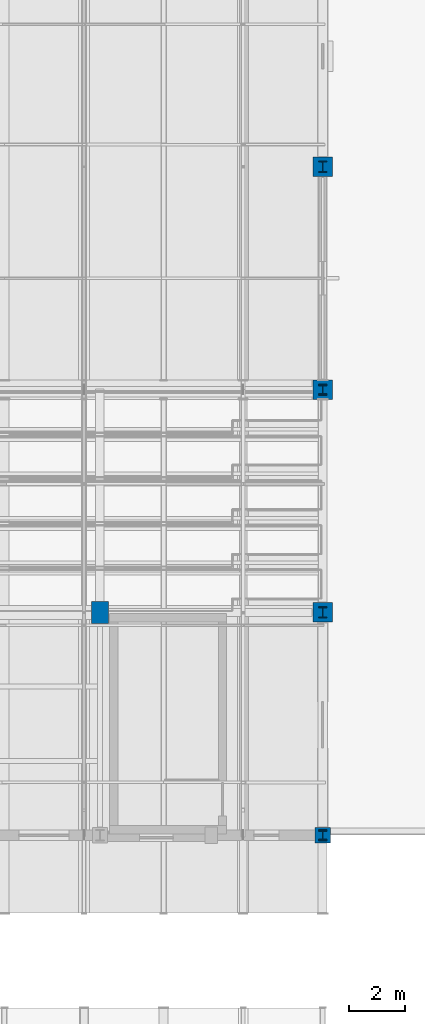
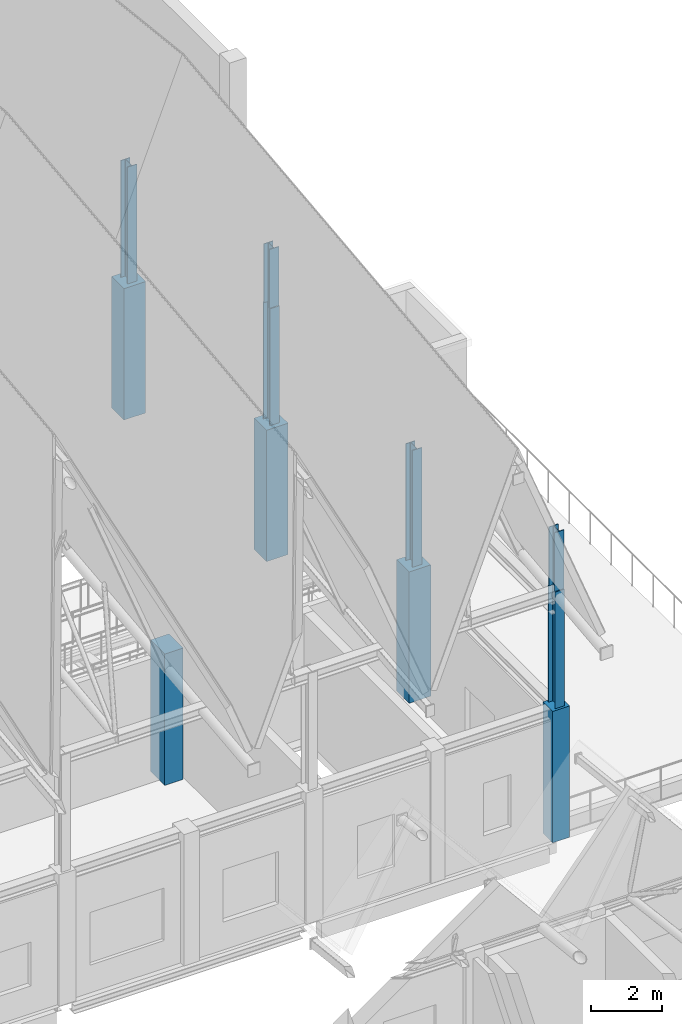
# One storey, part 4 of 77: 11 columns.
"""IFC4 building model written with IfcOpenShell, lengths in metres."""

from ifc_helpers import new_model, si_unit, direction, frame, origin, origin_2d, place, context, subcontext, project, spatial, rectangle, i_section, extrude, material, material_profile, profile_set, type_object, element, save


model = new_model("IFC4")

# Units and contexts
model_context = context("Model", 3, precision=1e-05, world=origin(), true_north=direction((0.0, 1.0)))
body_context = subcontext(model_context, "Body", "Model", "MODEL_VIEW")
ifc_project = project(units=[si_unit("LENGTHUNIT", "METRE"), si_unit("AREAUNIT", "SQUARE_METRE"), si_unit("VOLUMEUNIT", "CUBIC_METRE"), si_unit("PLANEANGLEUNIT", "RADIAN"), si_unit("MASSUNIT", "GRAM", prefix="KILO")], contexts=[model_context])

# Site, building, storey
site_placement = place(None, origin())
site = spatial("IfcSite", under=ifc_project, at=site_placement, CompositionType="ELEMENT")
building_placement = place(site_placement, origin())
building = spatial("IfcBuilding", under=site, at=building_placement, Name="Luwemba Playhouse", CompositionType="ELEMENT")
storey_placement = place(building_placement, frame((0.0, 0.0, 9.300048828125)))
storey = spatial("IfcBuildingStorey", under=building, at=storey_placement, Name="L02", CompositionType="ELEMENT", Elevation=9.300048828125)

# Columns
ifc_material_1 = material(Name="Concrete C40/50", Category="concrete")
ifc_material_profile_1 = material_profile(ifc_material_1, rectangle(XDim=0.550048828125, YDim=0.550048828125, at=origin_2d()))
ifc_profile_set_1 = profile_set([ifc_material_profile_1], Name="Concrete C40/50")
column_type_1 = type_object("IfcColumnType", Name="COL-C03", PredefinedType="COLUMN", material=ifc_profile_set_1)
column_1_placement = place(storey_placement, frame((44.0, 36.0, 0.0), z_axis=(0.0, 0.0, 1.0), x_axis=(1.0, 0.0, 0.0)))
element("IfcColumn", 1, at=column_1_placement, inside=storey, type_object=column_type_1, Name="L02 column 096", PredefinedType="COLUMN", context=body_context, shape_type="SweptSolid", body=[
    extrude(rectangle(XDim=0.550048828125, YDim=0.550048828125, at=origin_2d()), origin(), (0.0, 0.0, 1.0), 4.5),
])
ifc_material_profile_2 = material_profile(ifc_material_1, rectangle(XDim=0.699951171875, YDim=0.699951171875, at=origin_2d()))
ifc_profile_set_2 = profile_set([ifc_material_profile_2], Name="Concrete C40/50")
column_type_2 = type_object("IfcColumnType", Name="COL-C06", PredefinedType="COLUMN", material=ifc_profile_set_2)
for number, where, z_axis, x_axis, name in (
    (2, (44.0, 44.0, 0.0), (0.0, 0.0, 1.0), (1.0, 0.0, 0.0), "L02 column 097"),
    (3, (44.0, 52.0, 0.0), (0.0, 0.0, 1.0), (1.0, 0.0, 0.0), "L02 column 098"),
    (4, (44.0, 60.0, 0.0), (0.0, 0.0, 1.0), (1.0, 0.0, 0.0), "L02 column 099"),
):
    element("IfcColumn", number, at=place(storey_placement, frame(where, z_axis=z_axis, x_axis=x_axis)), inside=storey, type_object=column_type_2, Name=name, PredefinedType="COLUMN", context=body_context, shape_type="SweptSolid", body=[
        extrude(rectangle(XDim=0.699951171875, YDim=0.699951171875, at=origin_2d()), origin(), (0.0, 0.0, 1.0), 4.5),
    ])
ifc_material_profile_3 = material_profile(ifc_material_1, rectangle(XDim=0.60009765625, YDim=0.800048828125, at=origin_2d()))
ifc_profile_set_3 = profile_set([ifc_material_profile_3], Name="Concrete C40/50")
column_type_3 = type_object("IfcColumnType", Name="COL-C12", PredefinedType="COLUMN", material=ifc_profile_set_3)
column_2_placement = place(storey_placement, frame((36.0, 44.0, 0.0), z_axis=(0.0, 0.0, 1.0), x_axis=(1.0, 0.0, 0.0)))
element("IfcColumn", 5, at=column_2_placement, inside=storey, type_object=column_type_3, Name="L02 column 080", PredefinedType="COLUMN", context=body_context, shape_type="SweptSolid", body=[
    extrude(rectangle(XDim=0.60009765625, YDim=0.800048828125, at=origin_2d()), origin(), (0.0, 0.0, 1.0), 4.5),
])
ifc_material_2 = material(Name="Steel S355", Category="steel")
ifc_material_profile_4 = material_profile(ifc_material_2, i_section(OverallWidth=0.300048828125, OverallDepth=0.340087890625, WebThickness=0.011962890625, FlangeThickness=0.021484375, FilletRadius=0.027099609375, at=origin_2d()))
ifc_profile_set_4 = profile_set([ifc_material_profile_4], Name="Steel S355")
column_type_4 = type_object("IfcColumnType", Name="COL-SC2", PredefinedType="COLUMN", material=ifc_profile_set_4)
for number, where, z_axis, x_axis, name in (
    (6, (44.0, 36.0, 8.5), (0.0, 0.0, 1.0), (1.0, 0.0, 0.0), "RF-V1 south corner apex stub"),
    (7, (44.0, 52.0, 8.5), (0.0, 0.0, 1.0), (1.0, 0.0, 0.0), "RF-V1 mid corner apex stub"),
):
    element("IfcColumn", number, at=place(storey_placement, frame(where, z_axis=z_axis, x_axis=x_axis)), inside=storey, type_object=column_type_4, Name=name, PredefinedType="COLUMN", context=body_context, shape_type="SweptSolid", body=[
        extrude(i_section(OverallWidth=0.300048828125, OverallDepth=0.340087890625, WebThickness=0.011962890625, FlangeThickness=0.021484375, FilletRadius=0.027099609375, at=origin_2d()), origin(), (0.0, 0.0, 1.0), 2.0146484375),
    ])
ifc_material_profile_5 = material_profile(ifc_material_2, i_section(OverallWidth=0.300048828125, OverallDepth=0.39990234375, WebThickness=0.013427734375, FlangeThickness=0.02392578125, FilletRadius=0.027099609375, at=origin_2d()))
ifc_profile_set_5 = profile_set([ifc_material_profile_5], Name="Steel S355")
column_type_5 = type_object("IfcColumnType", Name="COL-SC4", PredefinedType="COLUMN", material=ifc_profile_set_5)
for number, where, z_axis, x_axis, name in (
    (8, (44.0, 36.0, 4.5), (0.0, 0.0, 1.0), (1.0, 0.0, 0.0), "RF-V1 roof support column"),
    (9, (44.0, 44.0, 4.5), (0.0, 0.0, 1.0), (1.0, 0.0, 0.0), "RF-V1 roof support column"),
    (10, (44.0, 52.0, 4.5), (0.0, 0.0, 1.0), (1.0, 0.0, 0.0), "RF-V1 roof support column"),
    (11, (44.0, 60.0, 4.5), (0.0, 0.0, 1.0), (1.0, 0.0, 0.0), "RF-V1 roof support column"),
):
    element("IfcColumn", number, at=place(storey_placement, frame(where, z_axis=z_axis, x_axis=x_axis)), inside=storey, type_object=column_type_5, Name=name, PredefinedType="COLUMN", context=body_context, shape_type="SweptSolid", body=[
        extrude(i_section(OverallWidth=0.300048828125, OverallDepth=0.39990234375, WebThickness=0.013427734375, FlangeThickness=0.02392578125, FilletRadius=0.027099609375, at=origin_2d()), origin(), (0.0, 0.0, 1.0), 4.0),
    ])

save(model, "model.ifc")
